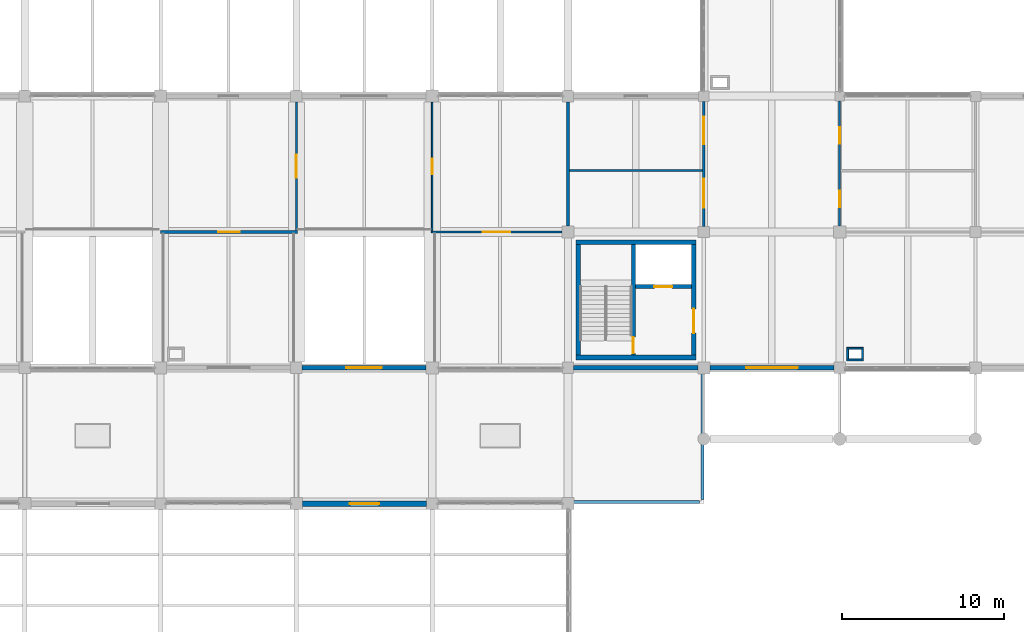
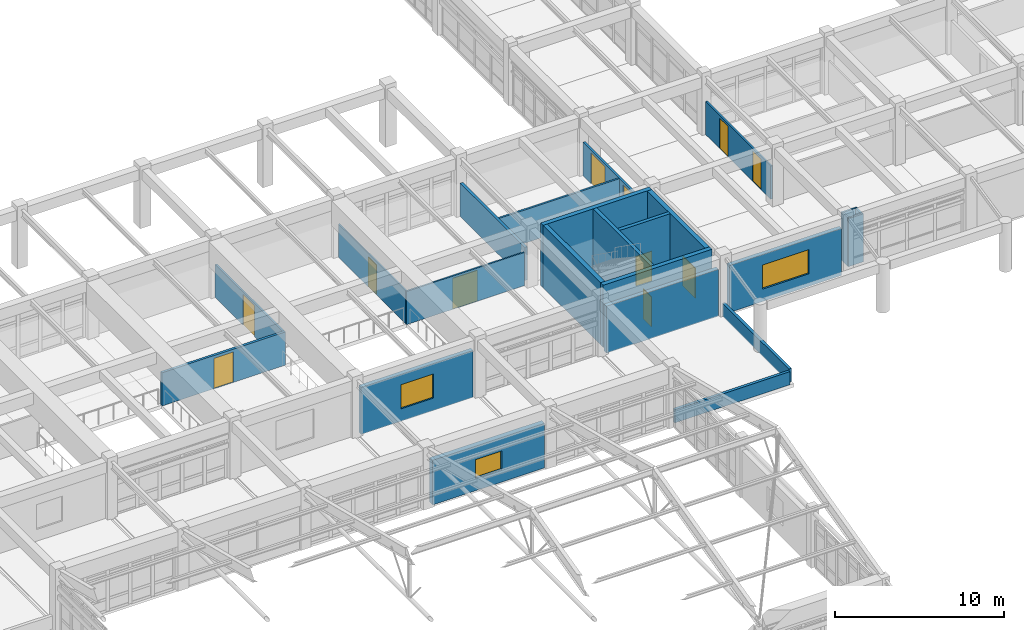
# One storey, part 84 of 99: 24 walls, 11 doors, 3 windows, 14 openings.
"""IFC4 building model written with IfcOpenShell, lengths in metres."""

from ifc_helpers import new_model, si_unit, direction, frame, frame_2d, origin, place, context, subcontext, project, spatial, rectangle, extrude, material, layer, layer_set, type_object, element, fill, save


model = new_model("IFC4")

# Units and contexts
model_context = context("Model", 3, precision=1e-05, world=origin(), true_north=direction((0.0, 1.0)))
body_context = subcontext(model_context, "Body", "Model", "MODEL_VIEW")
ifc_project = project(units=[si_unit("LENGTHUNIT", "METRE"), si_unit("AREAUNIT", "SQUARE_METRE"), si_unit("VOLUMEUNIT", "CUBIC_METRE"), si_unit("PLANEANGLEUNIT", "RADIAN"), si_unit("MASSUNIT", "GRAM", prefix="KILO")], contexts=[model_context])

# Site, building, storey
site_placement = place(None, origin())
site = spatial("IfcSite", under=ifc_project, at=site_placement, CompositionType="ELEMENT")
building_placement = place(site_placement, origin())
building = spatial("IfcBuilding", under=site, at=building_placement, Name="Porcellanite Civic Hall", CompositionType="ELEMENT")
storey_placement = place(building_placement, frame((0.0, 0.0, 5.760009765625)))
storey = spatial("IfcBuildingStorey", under=building, at=storey_placement, Name="L01", CompositionType="ELEMENT", Elevation=5.760009765625)

# Wall, opening, door
ifc_material_1 = material(Name="Concrete N40 (40 MPa)", Category="concrete")
ifc_layer_1 = layer(ifc_material_1, 0.239990234375)
ifc_layer_set_1 = layer_set([ifc_layer_1], Name="Concrete N40 (40 MPa)")
wall_type_1 = type_object("IfcWallType", Name="CW-SH240", PredefinedType="SHEAR", material=ifc_layer_set_1)
wall_1_placement = place(storey_placement, frame((113.239990234375, 51.179931640625, 0.0), z_axis=(0.0, 0.0, 1.0), x_axis=(0.0, 1.0, 0.0)))
wall_1 = element("IfcWall", 1, at=wall_1_placement, inside=storey, type_object=wall_type_1, Name="Core divider C6 L01", PredefinedType="SHEAR", context=body_context, shape_type="SweptSolid", body=[
    extrude(rectangle(XDim=6.840087890625, YDim=0.239990234375, at=frame_2d((3.419921875, 0.0))), origin(), (0.0, 0.0, 1.0), 4.5),
])
opening_1_placement = place(wall_1_placement, frame((0.1201171875, 0.0, 0.0)))
opening_1 = element("IfcOpeningElement", 2, at=opening_1_placement, cuts=wall_1, Name="Opening FD-C6-L01-ST", PredefinedType="OPENING", context=body_context, shape_type="SweptSolid", body=[
    extrude(rectangle(XDim=1.0, YDim=2.14990234375, at=frame_2d((0.5, 1.074951171875))), frame((0.0, 0.1201171875, 0.0), z_axis=(0.0, -1.0, 0.0), x_axis=(1.0, 0.0, 0.0)), (0.0, 0.0, 1.0), 0.239990234375),
])
ifc_material_2 = material(Name="Fire-rated solid-core hardwood timber", Category="wood")
door_type_1 = type_object("IfcDoorType", Name="DR-FD100", OperationType="NOTDEFINED", PredefinedType="DOOR", material=ifc_material_2)
door_1_placement = place(opening_1_placement, origin())
door_1 = element("IfcDoor", 3, at=door_1_placement, inside=storey, type_object=door_type_1, Name="Fire stair door FD-C6-L01-ST", OperationType="SINGLE_SWING_LEFT", OverallHeight=2.14990234375, OverallWidth=1.0, PredefinedType="DOOR", context=body_context, shape_type="SweptSolid", body=[
    extrude(rectangle(XDim=1.0, YDim=2.14990234375, at=frame_2d((0.5, 1.074951171875))), frame((0.0, 0.02490234375, 0.0), z_axis=(0.0, -1.0, 0.0), x_axis=(1.0, 0.0, 0.0)), (0.0, 0.0, 1.0), 0.050048828125),
])
fill(opening_1, door_1)

wall_2_placement = place(storey_placement, frame((113.360107421875, 55.419921875, 0.0), z_axis=(0.0, 0.0, 1.0), x_axis=(1.0, 0.0, 0.0)))
wall_2 = element("IfcWall", 4, at=wall_2_placement, inside=storey, type_object=wall_type_1, Name="Lift shaft wall C6 L01", PredefinedType="SHEAR", context=body_context, shape_type="SweptSolid", body=[
    extrude(rectangle(XDim=3.4599609375, YDim=0.239990234375, at=frame_2d((1.72998046875, 0.0))), origin(), (0.0, 0.0, 1.0), 4.5),
])
opening_2_placement = place(wall_2_placement, frame((1.179931640625, 0.0, 0.0)))
opening_2 = element("IfcOpeningElement", 5, at=opening_2_placement, cuts=wall_2, Name="Opening LD-06", PredefinedType="OPENING", context=body_context, shape_type="SweptSolid", body=[
    extrude(rectangle(XDim=1.10009765625, YDim=2.14990234375, at=frame_2d((0.550048828125, 1.074951171875))), frame((0.0, 0.1201171875, 0.0), z_axis=(0.0, -1.0, 0.0), x_axis=(1.0, 0.0, 0.0)), (0.0, 0.0, 1.0), 0.239990234375),
])
ifc_material_3 = material(Name="Brushed stainless steel 316", Category="steel")
door_type_2 = type_object("IfcDoorType", Name="DR-LD110", OperationType="DOUBLE_DOOR_SLIDING", PredefinedType="DOOR", material=ifc_material_3)
door_2_placement = place(opening_2_placement, origin())
door_2 = element("IfcDoor", 6, at=door_2_placement, inside=storey, type_object=door_type_2, Name="Lift landing sliding door LD-06 L01", OperationType="DOUBLE_DOOR_SLIDING", OverallHeight=2.14990234375, OverallWidth=1.10009765625, PredefinedType="DOOR", context=body_context, shape_type="SweptSolid", body=[
    extrude(rectangle(XDim=1.10009765625, YDim=2.14990234375, at=frame_2d((0.550048828125, 1.074951171875))), frame((0.0, 0.02490234375, 0.0), z_axis=(0.0, -1.0, 0.0), x_axis=(1.0, 0.0, 0.0)), (0.0, 0.0, 1.0), 0.050048828125),
])
fill(opening_2, door_2)

# Walls
ifc_material_4 = material(Name="Concrete N40 (40 MPa)", Category="concrete")
ifc_layer_2 = layer(ifc_material_4, 0.300048828125)
ifc_layer_set_2 = layer_set([ifc_layer_2], Name="Concrete N40 (40 MPa)")
wall_type_2 = type_object("IfcWallType", Name="CW-SH300", PredefinedType="SHEAR", material=ifc_layer_set_2)
wall_3_placement = place(storey_placement, frame((117.1201171875, 51.030029296875, 0.0), z_axis=(0.0, 0.0, 1.0), x_axis=(-1.0, 0.0, 0.0)))
element("IfcWall", 7, at=wall_3_placement, inside=storey, type_object=wall_type_2, Name="Core wall C6 L01 S", PredefinedType="SHEAR", context=body_context, shape_type="SweptSolid", body=[
    extrude(rectangle(XDim=7.440185546875, YDim=0.300048828125, at=frame_2d((3.72021484375, 0.0))), origin(), (0.0, 0.0, 1.0), 4.5),
])
wall_4_placement = place(storey_placement, frame((109.830078125, 51.179931640625, 0.0), z_axis=(0.0, 0.0, 1.0), x_axis=(0.0, 1.0, 0.0)))
element("IfcWall", 8, at=wall_4_placement, inside=storey, type_object=wall_type_2, Name="Core wall C6 L01 W", PredefinedType="SHEAR", context=body_context, shape_type="SweptSolid", body=[
    extrude(rectangle(XDim=6.840087890625, YDim=0.300048828125, at=frame_2d((3.419921875, 0.0))), origin(), (0.0, 0.0, 1.0), 4.5),
])
wall_5_placement = place(storey_placement, frame((109.679931640625, 58.169921875, 0.0), z_axis=(0.0, 0.0, 1.0), x_axis=(1.0, 0.0, 0.0)))
element("IfcWall", 9, at=wall_5_placement, inside=storey, type_object=wall_type_2, Name="Core wall C6 L01 N", PredefinedType="SHEAR", context=body_context, shape_type="SweptSolid", body=[
    extrude(rectangle(XDim=7.440185546875, YDim=0.300048828125, at=frame_2d((3.72021484375, 0.0))), origin(), (0.0, 0.0, 1.0), 4.5),
])

# Wall, opening, door
wall_6_placement = place(storey_placement, frame((116.969970703125, 58.02001953125, 0.0), z_axis=(0.0, 0.0, 1.0), x_axis=(0.0, -1.0, 0.0)))
wall_6 = element("IfcWall", 10, at=wall_6_placement, inside=storey, type_object=wall_type_2, Name="Core wall C6 L01 E", PredefinedType="SHEAR", context=body_context, shape_type="SweptSolid", body=[
    extrude(rectangle(XDim=6.840087890625, YDim=0.300048828125, at=frame_2d((3.419921875, 0.0))), origin(), (0.0, 0.0, 1.0), 4.5),
])
opening_3_placement = place(wall_6_placement, frame((3.969970703125, 0.0, 0.0)))
opening_3 = element("IfcOpeningElement", 11, at=opening_3_placement, cuts=wall_6, Name="Opening FD-C6-L01-LB", PredefinedType="OPENING", context=body_context, shape_type="SweptSolid", body=[
    extrude(rectangle(XDim=1.5, YDim=2.14990234375, at=frame_2d((0.75, 1.074951171875))), frame((0.0, 0.14990234375, 0.0), z_axis=(0.0, -1.0, 0.0), x_axis=(1.0, 0.0, 0.0)), (0.0, 0.0, 1.0), 0.300048828125),
])
ifc_material_5 = material(Name="Fire-rated steel and Georgian wired glass", Category="steel")
door_type_3 = type_object("IfcDoorType", Name="DR-FD150", OperationType="DOUBLE_DOOR_SINGLE_SWING", PredefinedType="DOOR", material=ifc_material_5)
door_3_placement = place(opening_3_placement, origin())
door_3 = element("IfcDoor", 12, at=door_3_placement, inside=storey, type_object=door_type_3, Name="Fire lobby double door FD-C6-L01-LB", OperationType="DOUBLE_DOOR_SINGLE_SWING", OverallHeight=2.14990234375, OverallWidth=1.5, PredefinedType="DOOR", context=body_context, shape_type="SweptSolid", body=[
    extrude(rectangle(XDim=1.5, YDim=2.14990234375, at=frame_2d((0.75, 1.074951171875))), frame((0.0, 0.02490234375, 0.0), z_axis=(0.0, -1.0, 0.0), x_axis=(1.0, 0.0, 0.0)), (0.0, 0.0, 1.0), 0.050048828125),
])
fill(opening_3, door_3)

# Wall, opening, window
ifc_material_6 = material(Name="Precast concrete N40 (40 MPa)", Category="concrete")
ifc_layer_3 = layer(ifc_material_6, 0.280029296875)
ifc_layer_set_3 = layer_set([ifc_layer_3], Name="Precast concrete N40 (40 MPa)")
wall_type_3 = type_object("IfcWallType", Name="EW-CLO280", PredefinedType="SOLIDWALL", material=ifc_layer_set_3)
wall_7_placement = place(storey_placement, frame((100.424072265625, 50.39990234375, 0.0), z_axis=(0.0, 0.0, 1.0), x_axis=(-1.0, 0.0, 0.0)))
wall_7 = element("IfcWall", 13, at=wall_7_placement, inside=storey, type_object=wall_type_3, Name="Exterior wall L01 S 12-7", PredefinedType="SOLIDWALL", context=body_context, shape_type="SweptSolid", body=[
    extrude(rectangle(XDim=7.673095703125, YDim=0.280029296875, at=frame_2d((3.83642578125, 0.0))), origin(), (0.0, 0.0, 1.0), 3.39990234375),
])
opening_4_placement = place(wall_7_placement, frame((2.736083984375, 0.0, 0.89990234375)))
opening_4 = element("IfcOpeningElement", 14, at=opening_4_placement, cuts=wall_7, Name="Opening W13", PredefinedType="OPENING", context=body_context, shape_type="SweptSolid", body=[
    extrude(rectangle(XDim=2.199951171875, YDim=1.75, at=frame_2d((1.10009765625, 0.875))), frame((0.0, 0.14013671875, 0.0), z_axis=(0.0, -1.0, 0.0), x_axis=(1.0, 0.0, 0.0)), (0.0, 0.0, 1.0), 0.280029296875),
])
ifc_material_7 = material(Name="Cyclone laminated low-E glazing in anodised aluminium frame", Category="aluminium")
window_type_1 = type_object("IfcWindowType", Name="WN-13", PartitioningType="DOUBLE_PANEL_VERTICAL", PredefinedType="WINDOW", material=ifc_material_7)
window_1_placement = place(opening_4_placement, origin())
window_1 = element("IfcWindow", 15, at=window_1_placement, inside=storey, type_object=window_type_1, Name="Window W13 L01 S 12-7", OverallHeight=1.75, OverallWidth=2.199951171875, PartitioningType="SINGLE_PANEL", PredefinedType="WINDOW", context=body_context, shape_type="SweptSolid", body=[
    extrude(rectangle(XDim=2.199951171875, YDim=1.75, at=frame_2d((1.10009765625, 0.875))), frame((0.0, 0.030029296875, 0.0), z_axis=(0.0, -1.0, 0.0), x_axis=(1.0, 0.0, 0.0)), (0.0, 0.0, 1.0), 0.06005859375),
])
fill(opening_4, window_1)

# Wall
wall_8_placement = place(storey_placement, frame((117.22412109375, 50.39990234375, 0.0), z_axis=(0.0, 0.0, 1.0), x_axis=(-1.0, 0.0, 0.0)))
element("IfcWall", 16, at=wall_8_placement, inside=storey, type_object=wall_type_3, Name="Exterior wall L01 S 14-7", PredefinedType="SOLIDWALL", context=body_context, shape_type="SweptSolid", body=[
    extrude(rectangle(XDim=7.673095703125, YDim=0.280029296875, at=frame_2d((3.83642578125, 0.0))), origin(), (0.0, 0.0, 1.0), 3.39990234375),
])

# Wall, opening, window
wall_9_placement = place(storey_placement, frame((125.64892578125, 50.39990234375, 0.0), z_axis=(0.0, 0.0, 1.0), x_axis=(-1.0, 0.0, 0.0)))
wall_9 = element("IfcWall", 17, at=wall_9_placement, inside=storey, type_object=wall_type_3, Name="Exterior wall L01 S 15-7", PredefinedType="SOLIDWALL", context=body_context, shape_type="SweptSolid", body=[
    extrude(rectangle(XDim=7.6728515625, YDim=0.280029296875, at=frame_2d((3.83642578125, 0.0))), origin(), (0.0, 0.0, 1.0), 3.39990234375),
])
opening_5_placement = place(wall_9_placement, frame((2.236083984375, 0.0, 0.89990234375)))
opening_5 = element("IfcOpeningElement", 18, at=opening_5_placement, cuts=wall_9, Name="Opening W17", PredefinedType="OPENING", context=body_context, shape_type="SweptSolid", body=[
    extrude(rectangle(XDim=3.199951171875, YDim=1.75, at=frame_2d((1.60009765625, 0.875))), frame((0.0, 0.14013671875, 0.0), z_axis=(0.0, -1.0, 0.0), x_axis=(1.0, 0.0, 0.0)), (0.0, 0.0, 1.0), 0.280029296875),
])
ifc_material_8 = material(Name="Cyclone laminated low-E glazing in anodised aluminium frame", Category="aluminium")
window_type_2 = type_object("IfcWindowType", Name="WN-17", PartitioningType="TRIPLE_PANEL_VERTICAL", PredefinedType="WINDOW", material=ifc_material_8)
window_2_placement = place(opening_5_placement, origin())
window_2 = element("IfcWindow", 19, at=window_2_placement, inside=storey, type_object=window_type_2, Name="Window W17 L01 S 15-7", OverallHeight=1.75, OverallWidth=3.199951171875, PartitioningType="SINGLE_PANEL", PredefinedType="WINDOW", context=body_context, shape_type="SweptSolid", body=[
    extrude(rectangle(XDim=3.199951171875, YDim=1.75, at=frame_2d((1.60009765625, 0.875))), frame((0.0, 0.030029296875, 0.0), z_axis=(0.0, -1.0, 0.0), x_axis=(1.0, 0.0, 0.0)), (0.0, 0.0, 1.0), 0.06005859375),
])
fill(opening_5, window_2)

ifc_material_9 = material(Name="Precast concrete N40 (40 MPa)", Category="concrete")
ifc_layer_4 = layer(ifc_material_9, 0.340087890625)
ifc_layer_set_4 = layer_set([ifc_layer_4], Name="Precast concrete N40 (40 MPa)")
wall_type_4 = type_object("IfcWallType", Name="EW-HALL340", PredefinedType="SOLIDWALL", material=ifc_layer_set_4)
wall_10_placement = place(storey_placement, frame((92.77587890625, 42.0, 0.0), z_axis=(0.0, 0.0, 1.0), x_axis=(1.0, 0.0, 0.0)))
wall_10 = element("IfcWall", 20, at=wall_10_placement, inside=storey, type_object=wall_type_4, Name="Exterior wall L01 N 12-5", PredefinedType="SOLIDWALL", context=body_context, shape_type="SweptSolid", body=[
    extrude(rectangle(XDim=7.673095703125, YDim=0.340087890625, at=frame_2d((3.83642578125, 0.0))), origin(), (0.0, 0.0, 1.0), 3.22998046875),
])
opening_6_placement = place(wall_10_placement, frame((2.93701171875, 0.0, 0.89990234375)))
opening_6 = element("IfcOpeningElement", 21, at=opening_6_placement, cuts=wall_10, Name="Opening W12", PredefinedType="OPENING", context=body_context, shape_type="SweptSolid", body=[
    extrude(rectangle(XDim=1.800048828125, YDim=1.35009765625, at=frame_2d((0.89990234375, 0.675048828125))), frame((0.0, 0.169921875, 0.0), z_axis=(0.0, -1.0, 0.0), x_axis=(1.0, 0.0, 0.0)), (0.0, 0.0, 1.0), 0.340087890625),
])
ifc_material_10 = material(Name="Cyclone laminated low-E glazing in anodised aluminium frame", Category="aluminium")
window_type_3 = type_object("IfcWindowType", Name="WN-12", PartitioningType="DOUBLE_PANEL_VERTICAL", PredefinedType="WINDOW", material=ifc_material_10)
window_3_placement = place(opening_6_placement, origin())
window_3 = element("IfcWindow", 22, at=window_3_placement, inside=storey, type_object=window_type_3, Name="Window W12 L01 N 12-5", OverallHeight=1.35009765625, OverallWidth=1.800048828125, PartitioningType="SINGLE_PANEL", PredefinedType="WINDOW", context=body_context, shape_type="SweptSolid", body=[
    extrude(rectangle(XDim=1.800048828125, YDim=1.35009765625, at=frame_2d((0.89990234375, 0.675048828125))), frame((0.0, 0.030029296875, 0.0), z_axis=(0.0, -1.0, 0.0), x_axis=(1.0, 0.0, 0.0)), (0.0, 0.0, 1.0), 0.06005859375),
])
fill(opening_6, window_3)

# Walls
ifc_material_11 = material(Name="Fire-rated shaftwall plasterboard on steel studs", Category="steel")
ifc_layer_5 = layer(ifc_material_11, 0.117919921875)
ifc_layer_set_5 = layer_set([ifc_layer_5], Name="Fire-rated shaftwall plasterboard on steel studs")
wall_type_5 = type_object("IfcWallType", Name="IW-FR118", PredefinedType="PARTITIONING", material=ifc_layer_set_5)
for number, where, z_axis, x_axis, name in (
    (23, (126.431884765625, 50.89111328125, 0.0), (0.0, 0.0, 1.0), (1.0, 0.0, 0.0), "Fire riser shaftwall S L01 15-6"),
    (24, (126.431884765625, 51.60888671875, 0.0), (0.0, 0.0, 1.0), (1.0, 0.0, 0.0), "Fire riser shaftwall N L01 15-6"),
):
    element("IfcWall", number, at=place(storey_placement, frame(where, z_axis=z_axis, x_axis=x_axis)), inside=storey, type_object=wall_type_5, Name=name, PredefinedType="PARTITIONING", context=body_context, shape_type="SweptSolid", body=[
        extrude(rectangle(XDim=1.0361328125, YDim=0.117919921875, at=frame_2d((0.51806640625, 0.0))), origin(), (0.0, 0.0, 1.0), 3.47998046875),
    ])
for number, where, z_axis, x_axis, name in (
    (25, (126.490966796875, 50.949951171875, 0.0), (0.0, 0.0, 1.0), (0.0, 1.0, 0.0), "Fire riser shaftwall W L01 15-6"),
    (26, (127.408935546875, 50.949951171875, 0.0), (0.0, 0.0, 1.0), (0.0, 1.0, 0.0), "Fire riser shaftwall E L01 15-6"),
):
    element("IfcWall", number, at=place(storey_placement, frame(where, z_axis=z_axis, x_axis=x_axis)), inside=storey, type_object=wall_type_5, Name=name, PredefinedType="PARTITIONING", context=body_context, shape_type="SweptSolid", body=[
        extrude(rectangle(XDim=0.60009765625, YDim=0.117919921875, at=frame_2d((0.300048828125, 0.0))), origin(), (0.0, 0.0, 1.0), 3.47998046875),
    ])

# Wall, opening, door
ifc_material_12 = material(Name="Insulated acoustic plasterboard on light-gauge steel studs", Category="steel")
ifc_layer_6 = layer(ifc_material_12, 0.094970703125)
ifc_layer_set_6 = layer_set([ifc_layer_6], Name="Insulated acoustic plasterboard on light-gauge steel studs")
wall_type_6 = type_object("IfcWallType", Name="IW-PT095", PredefinedType="PARTITIONING", material=ifc_layer_set_6)
wall_11_placement = place(storey_placement, frame((100.800048828125, 58.859619140625, 0.0), z_axis=(0.0, 0.0, 1.0), x_axis=(0.0, 1.0, 0.0)))
wall_11 = element("IfcWall", 27, at=wall_11_placement, inside=storey, type_object=wall_type_6, Name="Partition L01 V 12-8", PredefinedType="PARTITIONING", context=body_context, shape_type="SweptSolid", body=[
    extrude(rectangle(XDim=7.96337890625, YDim=0.094970703125, at=frame_2d((3.981689453125, 0.0))), origin(), (0.0, 0.0, 1.0), 2.39990234375),
])
opening_7_placement = place(wall_11_placement, frame((3.4970703125, 0.0, 0.0)))
opening_7 = element("IfcOpeningElement", 28, at=opening_7_placement, cuts=wall_11, Name="Opening D-L01-258", PredefinedType="OPENING", context=body_context, shape_type="SweptSolid", body=[
    extrude(rectangle(XDim=0.969970703125, YDim=2.1201171875, at=frame_2d((0.48486328125, 1.06005859375))), frame((0.0, 0.04736328125, 0.0), z_axis=(0.0, -1.0, 0.0), x_axis=(1.0, 0.0, 0.0)), (0.0, 0.0, 1.0), 0.094970703125),
])
ifc_material_13 = material(Name="Solid-core spotted-gum timber", Category="wood")
door_type_4 = type_object("IfcDoorType", Name="DR-RM097", OperationType="NOTDEFINED", PredefinedType="DOOR", material=ifc_material_13)
door_4_placement = place(opening_7_placement, origin())
door_4 = element("IfcDoor", 29, at=door_4_placement, inside=storey, type_object=door_type_4, Name="Interior door D-L01-258", OperationType="SINGLE_SWING_RIGHT", OverallHeight=2.1201171875, OverallWidth=0.969970703125, PredefinedType="DOOR", context=body_context, shape_type="SweptSolid", body=[
    extrude(rectangle(XDim=0.969970703125, YDim=2.1201171875, at=frame_2d((0.48486328125, 1.06005859375))), frame((0.0, 0.02490234375, 0.0), z_axis=(0.0, -1.0, 0.0), x_axis=(1.0, 0.0, 0.0)), (0.0, 0.0, 1.0), 0.050048828125),
])
fill(opening_7, door_4)

ifc_material_14 = material(Name="Insulated acoustic plasterboard on light-gauge steel studs", Category="steel")
ifc_layer_7 = layer(ifc_material_14, 0.114990234375)
ifc_layer_set_7 = layer_set([ifc_layer_7], Name="Insulated acoustic plasterboard on light-gauge steel studs")
wall_type_7 = type_object("IfcWallType", Name="IW-PT115", PredefinedType="PARTITIONING", material=ifc_layer_set_7)
wall_12_placement = place(storey_placement, frame((100.75244140625, 58.800048828125, 0.0), z_axis=(0.0, 0.0, 1.0), x_axis=(1.0, 0.0, 0.0)))
wall_12 = element("IfcWall", 30, at=wall_12_placement, inside=storey, type_object=wall_type_7, Name="Partition L01 H 13-7", PredefinedType="PARTITIONING", context=body_context, shape_type="SweptSolid", body=[
    extrude(rectangle(XDim=8.070556640625, YDim=0.114990234375, at=frame_2d((4.03515625, 0.0))), origin(), (0.0, 0.0, 1.0), 2.39990234375),
])
opening_8_placement = place(wall_12_placement, frame((3.18505859375, 0.0, 0.0)))
opening_8 = element("IfcOpeningElement", 31, at=opening_8_placement, cuts=wall_12, Name="Opening D-L01-197", PredefinedType="OPENING", context=body_context, shape_type="SweptSolid", body=[
    extrude(rectangle(XDim=1.699951171875, YDim=2.219970703125, at=frame_2d((0.85009765625, 1.10986328125))), frame((0.0, 0.0576171875, 0.0), z_axis=(0.0, -1.0, 0.0), x_axis=(1.0, 0.0, 0.0)), (0.0, 0.0, 1.0), 0.114990234375),
])
ifc_material_15 = material(Name="Acoustic spotted-gum timber and safety glass", Category="wood")
door_type_5 = type_object("IfcDoorType", Name="DR-AS170", OperationType="DOUBLE_DOOR_SINGLE_SWING", PredefinedType="DOOR", material=ifc_material_15)
door_5_placement = place(opening_8_placement, origin())
door_5 = element("IfcDoor", 32, at=door_5_placement, inside=storey, type_object=door_type_5, Name="Interior door D-L01-197", OperationType="DOUBLE_DOOR_SINGLE_SWING", OverallHeight=2.219970703125, OverallWidth=1.699951171875, PredefinedType="DOOR", context=body_context, shape_type="SweptSolid", body=[
    extrude(rectangle(XDim=1.699951171875, YDim=2.219970703125, at=frame_2d((0.85009765625, 1.10986328125))), frame((0.0, 0.02490234375, 0.0), z_axis=(0.0, -1.0, 0.0), x_axis=(1.0, 0.0, 0.0)), (0.0, 0.0, 1.0), 0.050048828125),
])
fill(opening_8, door_5)

ifc_material_16 = material(Name="Insulated acoustic plasterboard on light-gauge steel studs", Category="steel")
ifc_layer_8 = layer(ifc_material_16, 0.125)
ifc_layer_set_8 = layer_set([ifc_layer_8], Name="Insulated acoustic plasterboard on light-gauge steel studs")
wall_type_8 = type_object("IfcWallType", Name="IW-PT125", PredefinedType="PARTITIONING", material=ifc_layer_set_8)
wall_13_placement = place(storey_placement, frame((92.39990234375, 58.889404296875, 0.0), z_axis=(0.0, 0.0, 1.0), x_axis=(0.0, 1.0, 0.0)))
wall_13 = element("IfcWall", 33, at=wall_13_placement, inside=storey, type_object=wall_type_8, Name="Partition L01 V 11-8", PredefinedType="PARTITIONING", context=body_context, shape_type="SweptSolid", body=[
    extrude(rectangle(XDim=7.95849609375, YDim=0.125, at=frame_2d((3.979248046875, 0.0))), origin(), (0.0, 0.0, 1.0), 2.39990234375),
])
opening_9_placement = place(wall_13_placement, frame((3.279052734375, 0.0, 0.0)))
opening_9 = element("IfcOpeningElement", 34, at=opening_9_placement, cuts=wall_13, Name="Opening D-L01-215", PredefinedType="OPENING", context=body_context, shape_type="SweptSolid", body=[
    extrude(rectangle(XDim=1.39990234375, YDim=2.219970703125, at=frame_2d((0.699951171875, 1.10986328125))), frame((0.0, 0.0625, 0.0), z_axis=(0.0, -1.0, 0.0), x_axis=(1.0, 0.0, 0.0)), (0.0, 0.0, 1.0), 0.125),
])
ifc_material_17 = material(Name="Acoustic spotted-gum timber and safety glass", Category="wood")
door_type_6 = type_object("IfcDoorType", Name="DR-AS140", OperationType="DOUBLE_DOOR_SINGLE_SWING", PredefinedType="DOOR", material=ifc_material_17)
door_6_placement = place(opening_9_placement, origin())
door_6 = element("IfcDoor", 35, at=door_6_placement, inside=storey, type_object=door_type_6, Name="Interior door D-L01-215", OperationType="DOUBLE_DOOR_SINGLE_SWING", OverallHeight=2.219970703125, OverallWidth=1.39990234375, PredefinedType="DOOR", context=body_context, shape_type="SweptSolid", body=[
    extrude(rectangle(XDim=1.39990234375, YDim=2.219970703125, at=frame_2d((0.699951171875, 1.10986328125))), frame((0.0, 0.02490234375, 0.0), z_axis=(0.0, -1.0, 0.0), x_axis=(1.0, 0.0, 0.0)), (0.0, 0.0, 1.0), 0.050048828125),
])
fill(opening_9, door_6)

# Wall, openings, doors
wall_14_placement = place(storey_placement, frame((126.0, 59.177001953125, 0.0), z_axis=(0.0, 0.0, 1.0), x_axis=(0.0, 1.0, 0.0)))
wall_14 = element("IfcWall", 36, at=wall_14_placement, inside=storey, type_object=wall_type_8, Name="Partition L01 V 15-8", PredefinedType="PARTITIONING", context=body_context, shape_type="SweptSolid", body=[
    extrude(rectangle(XDim=7.720947265625, YDim=0.125, at=frame_2d((3.8603515625, 0.0))), origin(), (0.0, 0.0, 1.0), 2.39990234375),
])
opening_10_placement = place(wall_14_placement, frame((1.14306640625, 0.0, 0.0)))
opening_10 = element("IfcOpeningElement", 37, at=opening_10_placement, cuts=wall_14, Name="Opening D-L01-184", PredefinedType="OPENING", context=body_context, shape_type="SweptSolid", body=[
    extrude(rectangle(XDim=1.0400390625, YDim=2.199951171875, at=frame_2d((0.52001953125, 1.10009765625))), frame((0.0, 0.0625, 0.0), z_axis=(0.0, -1.0, 0.0), x_axis=(1.0, 0.0, 0.0)), (0.0, 0.0, 1.0), 0.125),
])
opening_11_placement = place(wall_14_placement, frame((5.072998046875, 0.0, 0.0)))
opening_11 = element("IfcOpeningElement", 38, at=opening_11_placement, cuts=wall_14, Name="Opening D-L01-185", PredefinedType="OPENING", context=body_context, shape_type="SweptSolid", body=[
    extrude(rectangle(XDim=1.02001953125, YDim=2.199951171875, at=frame_2d((0.510009765625, 1.10009765625))), frame((0.0, 0.0625, 0.0), z_axis=(0.0, -1.0, 0.0), x_axis=(1.0, 0.0, 0.0)), (0.0, 0.0, 1.0), 0.125),
])
ifc_material_18 = material(Name="Solid-core spotted-gum timber", Category="wood")
door_type_7 = type_object("IfcDoorType", Name="DR-RM102", OperationType="NOTDEFINED", PredefinedType="DOOR", material=ifc_material_18)
door_7_placement = place(opening_11_placement, origin())
door_7 = element("IfcDoor", 39, at=door_7_placement, inside=storey, type_object=door_type_7, Name="Interior door D-L01-185", OperationType="SINGLE_SWING_LEFT", OverallHeight=2.199951171875, OverallWidth=1.02001953125, PredefinedType="DOOR", context=body_context, shape_type="SweptSolid", body=[
    extrude(rectangle(XDim=1.02001953125, YDim=2.199951171875, at=frame_2d((0.510009765625, 1.10009765625))), frame((0.0, 0.02490234375, 0.0), z_axis=(0.0, -1.0, 0.0), x_axis=(1.0, 0.0, 0.0)), (0.0, 0.0, 1.0), 0.050048828125),
])
fill(opening_11, door_7)
ifc_material_19 = material(Name="Solid-core spotted-gum timber", Category="wood")
door_type_8 = type_object("IfcDoorType", Name="DR-RM104", OperationType="NOTDEFINED", PredefinedType="DOOR", material=ifc_material_19)
door_8_placement = place(opening_10_placement, origin())
door_8 = element("IfcDoor", 40, at=door_8_placement, inside=storey, type_object=door_type_8, Name="Interior door D-L01-184", OperationType="SINGLE_SWING_RIGHT", OverallHeight=2.199951171875, OverallWidth=1.0400390625, PredefinedType="DOOR", context=body_context, shape_type="SweptSolid", body=[
    extrude(rectangle(XDim=1.0400390625, YDim=2.199951171875, at=frame_2d((0.52001953125, 1.10009765625))), frame((0.0, 0.02490234375, 0.0), z_axis=(0.0, -1.0, 0.0), x_axis=(1.0, 0.0, 0.0)), (0.0, 0.0, 1.0), 0.050048828125),
])
fill(opening_10, door_8)

# Wall
ifc_material_20 = material(Name="Insulated acoustic plasterboard on light-gauge steel studs", Category="steel")
ifc_layer_9 = layer(ifc_material_20, 0.135009765625)
ifc_layer_set_9 = layer_set([ifc_layer_9], Name="Insulated acoustic plasterboard on light-gauge steel studs")
wall_type_9 = type_object("IfcWallType", Name="IW-PT135", PredefinedType="PARTITIONING", material=ifc_layer_set_9)
wall_15_placement = place(storey_placement, frame((109.29443359375, 62.60009765625, 0.0), z_axis=(0.0, 0.0, 1.0), x_axis=(1.0, 0.0, 0.0)))
element("IfcWall", 41, at=wall_15_placement, inside=storey, type_object=wall_type_9, Name="Partition L01 sub 14-8", PredefinedType="PARTITIONING", context=body_context, shape_type="SweptSolid", body=[
    extrude(rectangle(XDim=8.22607421875, YDim=0.135009765625, at=frame_2d((4.113037109375, 0.0))), origin(), (0.0, 0.0, 1.0), 2.39990234375),
])

# Wall, openings, doors
ifc_material_21 = material(Name="Insulated acoustic plasterboard on light-gauge steel studs", Category="steel")
ifc_layer_10 = layer(ifc_material_21, 0.155029296875)
ifc_layer_set_10 = layer_set([ifc_layer_10], Name="Insulated acoustic plasterboard on light-gauge steel studs")
wall_type_10 = type_object("IfcWallType", Name="IW-PT155", PredefinedType="PARTITIONING", material=ifc_layer_set_10)
wall_16_placement = place(storey_placement, frame((117.60009765625, 59.152099609375, 0.0), z_axis=(0.0, 0.0, 1.0), x_axis=(0.0, 1.0, 0.0)))
wall_16 = element("IfcWall", 42, at=wall_16_placement, inside=storey, type_object=wall_type_10, Name="Partition L01 V 14-8", PredefinedType="PARTITIONING", context=body_context, shape_type="SweptSolid", body=[
    extrude(rectangle(XDim=7.720947265625, YDim=0.155029296875, at=frame_2d((3.8603515625, 0.0))), origin(), (0.0, 0.0, 1.0), 2.39990234375),
])
opening_12_placement = place(wall_16_placement, frame((1.14794921875, 0.0, 0.0)))
opening_12 = element("IfcOpeningElement", 43, at=opening_12_placement, cuts=wall_16, Name="Opening D-L01-182", PredefinedType="OPENING", context=body_context, shape_type="SweptSolid", body=[
    extrude(rectangle(XDim=1.800048828125, YDim=2.219970703125, at=frame_2d((0.89990234375, 1.10986328125))), frame((0.0, 0.07763671875, 0.0), z_axis=(0.0, -1.0, 0.0), x_axis=(1.0, 0.0, 0.0)), (0.0, 0.0, 1.0), 0.155029296875),
])
opening_13_placement = place(wall_16_placement, frame((5.077880859375, 0.0, 0.0)))
opening_13 = element("IfcOpeningElement", 44, at=opening_13_placement, cuts=wall_16, Name="Opening D-L01-183", PredefinedType="OPENING", context=body_context, shape_type="SweptSolid", body=[
    extrude(rectangle(XDim=1.699951171875, YDim=2.219970703125, at=frame_2d((0.85009765625, 1.10986328125))), frame((0.0, 0.07763671875, 0.0), z_axis=(0.0, -1.0, 0.0), x_axis=(1.0, 0.0, 0.0)), (0.0, 0.0, 1.0), 0.155029296875),
])
door_9_placement = place(opening_13_placement, origin())
door_9 = element("IfcDoor", 45, at=door_9_placement, inside=storey, type_object=door_type_5, Name="Interior door D-L01-183", OperationType="DOUBLE_DOOR_SINGLE_SWING", OverallHeight=2.219970703125, OverallWidth=1.699951171875, PredefinedType="DOOR", context=body_context, shape_type="SweptSolid", body=[
    extrude(rectangle(XDim=1.699951171875, YDim=2.219970703125, at=frame_2d((0.85009765625, 1.10986328125))), frame((0.0, 0.02490234375, 0.0), z_axis=(0.0, -1.0, 0.0), x_axis=(1.0, 0.0, 0.0)), (0.0, 0.0, 1.0), 0.050048828125),
])
fill(opening_13, door_9)
ifc_material_22 = material(Name="Acoustic spotted-gum timber and safety glass", Category="wood")
door_type_9 = type_object("IfcDoorType", Name="DR-AS180", OperationType="DOUBLE_DOOR_SINGLE_SWING", PredefinedType="DOOR", material=ifc_material_22)
door_10_placement = place(opening_12_placement, origin())
door_10 = element("IfcDoor", 46, at=door_10_placement, inside=storey, type_object=door_type_9, Name="Interior door D-L01-182", OperationType="DOUBLE_DOOR_SINGLE_SWING", OverallHeight=2.219970703125, OverallWidth=1.800048828125, PredefinedType="DOOR", context=body_context, shape_type="SweptSolid", body=[
    extrude(rectangle(XDim=1.800048828125, YDim=2.219970703125, at=frame_2d((0.89990234375, 1.10986328125))), frame((0.0, 0.02490234375, 0.0), z_axis=(0.0, -1.0, 0.0), x_axis=(1.0, 0.0, 0.0)), (0.0, 0.0, 1.0), 0.050048828125),
])
fill(opening_12, door_10)

# Wall, opening, door
ifc_material_23 = material(Name="Insulated acoustic plasterboard on light-gauge steel studs", Category="steel")
ifc_layer_11 = layer(ifc_material_23, 0.175048828125)
ifc_layer_set_11 = layer_set([ifc_layer_11], Name="Insulated acoustic plasterboard on light-gauge steel studs")
wall_type_11 = type_object("IfcWallType", Name="IW-PT175", PredefinedType="PARTITIONING", material=ifc_layer_set_11)
wall_17_placement = place(storey_placement, frame((84.0, 58.800048828125, 0.0), z_axis=(0.0, 0.0, 1.0), x_axis=(1.0, 0.0, 0.0)))
wall_17 = element("IfcWall", 47, at=wall_17_placement, inside=storey, type_object=wall_type_11, Name="Partition L01 H 11-7", PredefinedType="PARTITIONING", context=body_context, shape_type="SweptSolid", body=[
    extrude(rectangle(XDim=8.46240234375, YDim=0.175048828125, at=frame_2d((4.231201171875, 0.0))), origin(), (0.0, 0.0, 1.0), 2.39990234375),
])
opening_14_placement = place(wall_17_placement, frame((3.555908203125, 0.0, 0.0)))
opening_14 = element("IfcOpeningElement", 48, at=opening_14_placement, cuts=wall_17, Name="Opening D-L01-195", PredefinedType="OPENING", context=body_context, shape_type="SweptSolid", body=[
    extrude(rectangle(XDim=1.35009765625, YDim=2.199951171875, at=frame_2d((0.675048828125, 1.10009765625))), frame((0.0, 0.08740234375, 0.0), z_axis=(0.0, -1.0, 0.0), x_axis=(1.0, 0.0, 0.0)), (0.0, 0.0, 1.0), 0.175048828125),
])
ifc_material_24 = material(Name="Acoustic spotted-gum timber and safety glass", Category="wood")
door_type_10 = type_object("IfcDoorType", Name="DR-AS135", OperationType="DOUBLE_DOOR_SINGLE_SWING", PredefinedType="DOOR", material=ifc_material_24)
door_11_placement = place(opening_14_placement, origin())
door_11 = element("IfcDoor", 49, at=door_11_placement, inside=storey, type_object=door_type_10, Name="Interior door D-L01-195", OperationType="DOUBLE_DOOR_SINGLE_SWING", OverallHeight=2.199951171875, OverallWidth=1.35009765625, PredefinedType="DOOR", context=body_context, shape_type="SweptSolid", body=[
    extrude(rectangle(XDim=1.35009765625, YDim=2.199951171875, at=frame_2d((0.675048828125, 1.10009765625))), frame((0.0, 0.02490234375, 0.0), z_axis=(0.0, -1.0, 0.0), x_axis=(1.0, 0.0, 0.0)), (0.0, 0.0, 1.0), 0.050048828125),
])
fill(opening_14, door_11)

# Walls
ifc_material_25 = material(Name="Insulated acoustic plasterboard on light-gauge steel studs", Category="steel")
ifc_layer_12 = layer(ifc_material_25, 0.18505859375)
ifc_layer_set_12 = layer_set([ifc_layer_12], Name="Insulated acoustic plasterboard on light-gauge steel studs")
wall_type_12 = type_object("IfcWallType", Name="IW-PT185", PredefinedType="PARTITIONING", material=ifc_layer_set_12)
wall_18_placement = place(storey_placement, frame((109.199951171875, 59.177001953125, 0.0), z_axis=(0.0, 0.0, 1.0), x_axis=(0.0, 1.0, 0.0)))
element("IfcWall", 50, at=wall_18_placement, inside=storey, type_object=wall_type_12, Name="Partition L01 V 13-8", PredefinedType="PARTITIONING", context=body_context, shape_type="SweptSolid", body=[
    extrude(rectangle(XDim=7.6708984375, YDim=0.18505859375, at=frame_2d((3.83544921875, 0.0))), origin(), (0.0, 0.0, 1.0), 2.39990234375),
])
ifc_material_26 = material(Name="Precast concrete N40 (40 MPa)", Category="concrete")
ifc_layer_13 = layer(ifc_material_26, 0.18994140625)
ifc_layer_set_13 = layer_set([ifc_layer_13], Name="Precast concrete N40 (40 MPa)")
wall_type_13 = type_object("IfcWallType", Name="WP-PAR4", PredefinedType="PARAPET", material=ifc_layer_set_13)
wall_19_placement = place(storey_placement, frame((117.340087890625, 42.094970703125, 0.0), z_axis=(0.0, 0.0, 1.0), x_axis=(-1.0, 0.0, 0.0)))
element("IfcWall", 51, at=wall_19_placement, inside=storey, type_object=wall_type_13, Name="Roof parapet L01 S 14-6", PredefinedType="PARAPET", context=body_context, shape_type="SweptSolid", body=[
    extrude(rectangle(XDim=7.880126953125, YDim=0.18994140625, at=frame_2d((3.93994140625, 0.0))), origin(), (0.0, 0.0, 1.0), 0.949951171875),
])
wall_20_placement = place(storey_placement, frame((117.5048828125, 50.139892578125, 0.0), z_axis=(0.0, 0.0, 1.0), x_axis=(0.0, -1.0, 0.0)))
element("IfcWall", 52, at=wall_20_placement, inside=storey, type_object=wall_type_13, Name="Roof parapet L01 E 14-6", PredefinedType="PARAPET", context=body_context, shape_type="SweptSolid", body=[
    extrude(rectangle(XDim=7.8798828125, YDim=0.18994140625, at=frame_2d((3.93994140625, 0.0))), origin(), (0.0, 0.0, 1.0), 0.949951171875),
])

save(model, "model.ifc")
